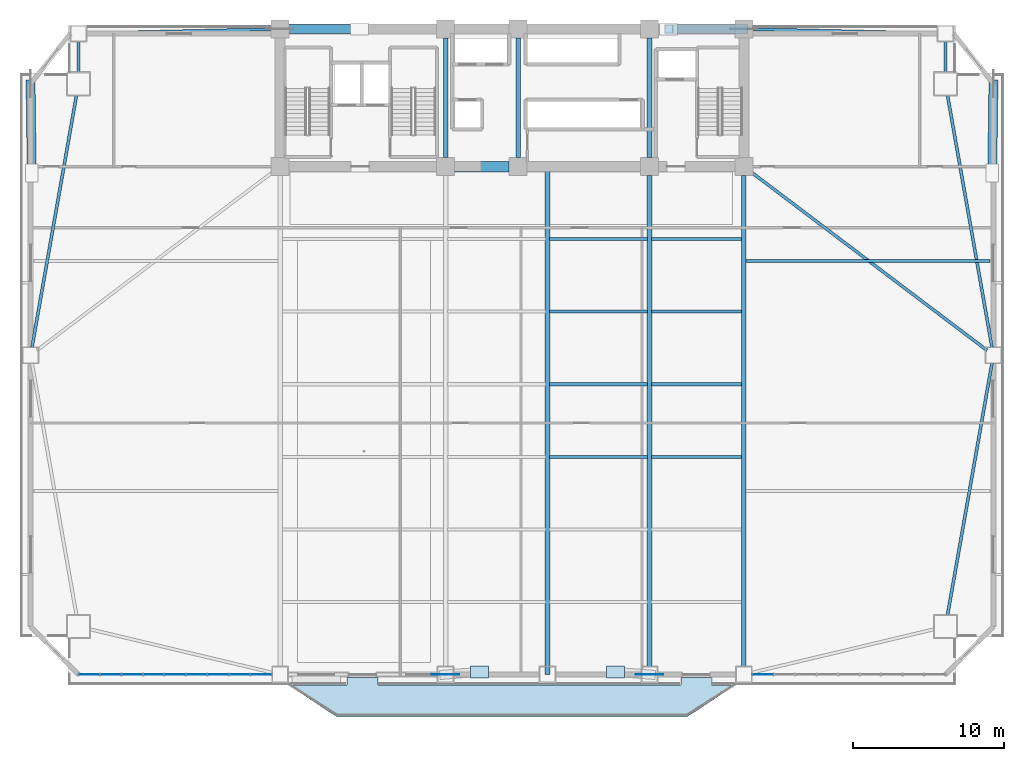
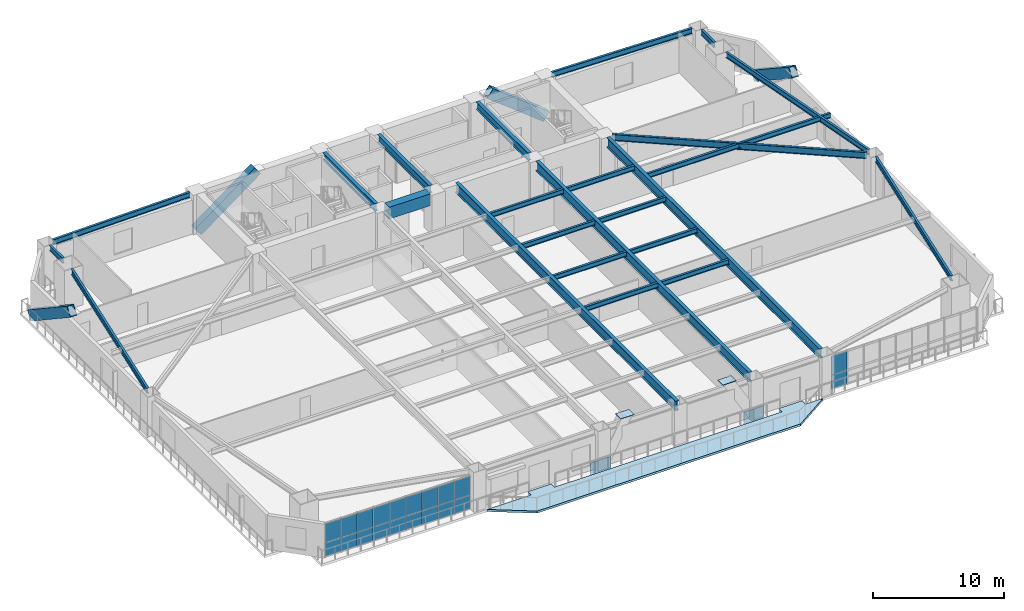
# One storey, part 7 of 17: 24 beams, 24 plates, 4 members, 1 slab, 2 elements without a shape of their own.
"""IFC4 building model written with IfcOpenShell, lengths in metres."""

from ifc_helpers import new_model, si_unit, direction, frame, origin, origin_2d, place, context, subcontext, project, spatial, polyline, rectangle, hollow_rectangle, i_section, outline, extrude, source, transform, mapped, material, layer, layer_set, material_profile, profile_set, type_object, element, aggregate, save


model = new_model("IFC4")

# Units and contexts
model_context = context("Model", 3, precision=1e-05, world=origin(), true_north=direction((0.0, 1.0)))
body_context = subcontext(model_context, "Body", "Model", "MODEL_VIEW")
ifc_project = project(units=[si_unit("LENGTHUNIT", "METRE"), si_unit("AREAUNIT", "SQUARE_METRE"), si_unit("VOLUMEUNIT", "CUBIC_METRE"), si_unit("PLANEANGLEUNIT", "RADIAN"), si_unit("MASSUNIT", "GRAM", prefix="KILO")], contexts=[model_context])

# Site, building, storey
site_placement = place(None, origin())
site = spatial("IfcSite", under=ifc_project, at=site_placement, CompositionType="ELEMENT")
building_placement = place(site_placement, origin())
building = spatial("IfcBuilding", under=site, at=building_placement, Name="Giltprow Tower", CompositionType="ELEMENT")
storey_placement = place(building_placement, frame((0.0, 0.0, 37.10009765625)))
storey = spatial("IfcBuildingStorey", under=building, at=storey_placement, Name="L09", CompositionType="ELEMENT", Elevation=37.10009765625)

# Beams
ifc_material_1 = material(Name="Concrete C60", Category="concrete")
ifc_material_profile_1 = material_profile(ifc_material_1, rectangle(XDim=0.699951171875, YDim=1.10009765625, at=origin_2d()), Name="RC 1100x700")
ifc_profile_set_1 = profile_set([ifc_material_profile_1], Name="Concrete C60")
beam_type_1 = type_object("IfcBeamType", Name="BM-CPL-RC1100", PredefinedType="LINTEL", material=ifc_profile_set_1)
shared_shape_1 = source(origin(), body_context, "Body", "SweptSolid", [
    extrude(rectangle(XDim=0.699951171875, YDim=1.10009765625, at=origin_2d()), origin(), (0.0, 0.0, 1.0), 3.6298828125),
])
beam_1_placement = place(storey_placement, frame((31.385009765625, 37.449951171875, 3.1298828125), z_axis=(1.0, 0.0, 0.0), x_axis=(0.0, 1.0, 0.0)))
element("IfcBeam", 1, at=beam_1_placement, inside=storey, type_object=beam_type_1, Name="L09 Core Coupling Beam CB-1", PredefinedType="LINTEL", context=body_context, shape_type="MappedRepresentation", body=[
    mapped(shared_shape_1, transform((0.0, 0.0, 0.0), x_axis=(1.0, 0.0, 0.0), y_axis=(0.0, 1.0, 0.0), z_axis=(0.0, 0.0, 1.0), scale=1.0)),
])
ifc_material_2 = material(Name="Structural steel Q355B", Category="steel")
ifc_material_profile_2 = material_profile(ifc_material_2, i_section(OverallWidth=0.300048828125, OverallDepth=0.699951171875, WebThickness=0.012939453125, FlangeThickness=0.02392578125, at=origin_2d()), Name="HN 700x300x13x24")
ifc_profile_set_2 = profile_set([ifc_material_profile_2], Name="Structural steel Q355B")
beam_type_2 = type_object("IfcBeamType", Name="BM-GIRD-HN700", PredefinedType="BEAM", material=ifc_profile_set_2)
shared_shape_2 = source(origin(), body_context, "Body", "SweptSolid", [
    extrude(i_section(OverallWidth=0.300048828125, OverallDepth=0.699951171875, WebThickness=0.012939453125, FlangeThickness=0.02392578125, at=origin_2d()), origin(), (0.0, 0.0, 1.0), 7.93017578125),
])
for number, where, z_axis, x_axis, name in (
    (2, (30.800048828125, 38.034912109375, 3.329833984375), (0.0, 1.0, 0.0), (-1.0, 0.0, 0.0), "L09 Core Tie Girder M1"),
    (3, (35.60009765625, 38.034912109375, 3.329833984375), (0.0, 1.0, 0.0), (-1.0, 0.0, 0.0), "L09 Core Tie Girder M2"),
    (4, (44.300048828125, 38.034912109375, 3.329833984375), (0.0, 1.0, 0.0), (-1.0, 0.0, 0.0), "L09 Core Tie Girder M3"),
):
    element("IfcBeam", number, at=place(storey_placement, frame(where, z_axis=z_axis, x_axis=x_axis)), inside=storey, type_object=beam_type_2, Name=name, PredefinedType="BEAM", context=body_context, shape_type="MappedRepresentation", body=[
        mapped(shared_shape_2, transform((0.0, 0.0, 0.0), x_axis=(1.0, 0.0, 0.0), y_axis=(0.0, 1.0, 0.0), z_axis=(0.0, 0.0, 1.0), scale=1.0)),
    ])
ifc_material_profile_3 = material_profile(ifc_material_2, i_section(OverallWidth=0.199951171875, OverallDepth=0.449951171875, WebThickness=0.009033203125, FlangeThickness=0.013916015625, at=origin_2d()), Name="HN 450x200x9x14")
ifc_profile_set_3 = profile_set([ifc_material_profile_3], Name="Structural steel Q355B")
beam_type_3 = type_object("IfcBeamType", Name="BM-JOIST-HN450", PredefinedType="JOIST", material=ifc_profile_set_3)
shared_shape_3 = source(origin(), body_context, "Body", "SweptSolid", [
    extrude(i_section(OverallWidth=0.199951171875, OverallDepth=0.449951171875, WebThickness=0.009033203125, FlangeThickness=0.013916015625, at=origin_2d()), origin(), (0.0, 0.0, 1.0), 6.4599609375),
])
for number, where, z_axis, x_axis, name in (
    (5, (37.695068359375, 18.237060546875, 3.454833984375), (1.0, 0.0, 0.0), (0.0, 1.0, 0.0), "L09 Composite Floor Joist 3-3"),
    (6, (37.695068359375, 23.0400390625, 3.454833984375), (1.0, 0.0, 0.0), (0.0, 1.0, 0.0), "L09 Composite Floor Joist 4-3"),
    (7, (37.695068359375, 27.843017578125, 3.454833984375), (1.0, 0.0, 0.0), (0.0, 1.0, 0.0), "L09 Composite Floor Joist 5-3"),
    (8, (37.695068359375, 32.64697265625, 3.454833984375), (1.0, 0.0, 0.0), (0.0, 1.0, 0.0), "L09 Composite Floor Joist 6-3"),
):
    element("IfcBeam", number, at=place(storey_placement, frame(where, z_axis=z_axis, x_axis=x_axis)), inside=storey, type_object=beam_type_3, Name=name, PredefinedType="JOIST", context=body_context, shape_type="MappedRepresentation", body=[
        mapped(shared_shape_3, transform((0.0, 0.0, 0.0), x_axis=(1.0, 0.0, 0.0), y_axis=(0.0, 1.0, 0.0), z_axis=(0.0, 0.0, 1.0), scale=1.0)),
    ])
shared_shape_4 = source(origin(), body_context, "Body", "SweptSolid", [
    extrude(i_section(OverallWidth=0.199951171875, OverallDepth=0.449951171875, WebThickness=0.009033203125, FlangeThickness=0.013916015625, at=origin_2d()), origin(), (0.0, 0.0, 1.0), 5.9599609375),
])
for number, where, z_axis, x_axis, name in (
    (9, (44.445068359375, 18.237060546875, 3.454833984375), (1.0, 0.0, 0.0), (0.0, 1.0, 0.0), "L09 Composite Floor Joist 3-4"),
    (10, (44.445068359375, 23.0400390625, 3.454833984375), (1.0, 0.0, 0.0), (0.0, 1.0, 0.0), "L09 Composite Floor Joist 4-4"),
    (11, (44.445068359375, 27.843017578125, 3.454833984375), (1.0, 0.0, 0.0), (0.0, 1.0, 0.0), "L09 Composite Floor Joist 5-4"),
    (12, (44.445068359375, 32.64697265625, 3.454833984375), (1.0, 0.0, 0.0), (0.0, 1.0, 0.0), "L09 Composite Floor Joist 6-4"),
):
    element("IfcBeam", number, at=place(storey_placement, frame(where, z_axis=z_axis, x_axis=x_axis)), inside=storey, type_object=beam_type_3, Name=name, PredefinedType="JOIST", context=body_context, shape_type="MappedRepresentation", body=[
        mapped(shared_shape_4, transform((0.0, 0.0, 0.0), x_axis=(1.0, 0.0, 0.0), y_axis=(0.0, 1.0, 0.0), z_axis=(0.0, 0.0, 1.0), scale=1.0)),
    ])
ifc_material_profile_4 = material_profile(ifc_material_2, i_section(OverallWidth=0.199951171875, OverallDepth=0.5, WebThickness=0.010009765625, FlangeThickness=0.01611328125, at=origin_2d()), Name="HN 500x200x10x16")
ifc_profile_set_4 = profile_set([ifc_material_profile_4], Name="Structural steel Q355B")
beam_type_4 = type_object("IfcBeamType", Name="BM-SPAN-HN500", PredefinedType="SPANDREL", material=ifc_profile_set_4)
shared_shape_5 = source(origin(), body_context, "Body", "SweptSolid", [
    extrude(i_section(OverallWidth=0.199951171875, OverallDepth=0.5, WebThickness=0.010009765625, FlangeThickness=0.01611328125, at=origin_2d()), origin(), (0.0, 0.0, 1.0), 16.920166015625),
])
beam_2_placement = place(storey_placement, frame((64.028076171875, 7.77392578125, 3.429931640625), z_axis=(0.173984527619, 0.984748386213, 0.0), x_axis=(-0.984748386213, 0.173984527619, 0.0)))
element("IfcBeam", 13, at=beam_2_placement, inside=storey, type_object=beam_type_4, Name="L09 Perimeter Spandrel Beam MC_SE-E_MID", PredefinedType="SPANDREL", context=body_context, shape_type="MappedRepresentation", body=[
    mapped(shared_shape_5, transform((0.0, 0.0, 0.0), x_axis=(1.0, 0.0, 0.0), y_axis=(0.0, 1.0, 0.0), z_axis=(0.0, 0.0, 1.0), scale=1.0)),
])
shared_shape_6 = source(origin(), body_context, "Body", "SweptSolid", [
    extrude(i_section(OverallWidth=0.199951171875, OverallDepth=0.5, WebThickness=0.010009765625, FlangeThickness=0.01611328125, at=origin_2d()), origin(), (0.0, 0.0, 1.0), 16.921142578125),
])
for number, where, z_axis, x_axis, name in (
    (14, (66.971923828125, 25.489990234375, 3.429931640625), (-0.173974639654, 0.984750133159, 0.0), (-0.984750133159, -0.173974639654, 0.0), "L09 Perimeter Spandrel Beam E_MID-MC_NE"),
    (15, (6.3720703125, 42.153076171875, 3.429931640625), (-0.173988631052, -0.984747661213, 0.0), (0.984747661213, -0.173988631052, 0.0), "L09 Perimeter Spandrel Beam MC_NW-W_MID"),
):
    element("IfcBeam", number, at=place(storey_placement, frame(where, z_axis=z_axis, x_axis=x_axis)), inside=storey, type_object=beam_type_4, Name=name, PredefinedType="SPANDREL", context=body_context, shape_type="MappedRepresentation", body=[
        mapped(shared_shape_6, transform((0.0, 0.0, 0.0), x_axis=(1.0, 0.0, 0.0), y_axis=(0.0, 1.0, 0.0), z_axis=(0.0, 0.0, 1.0), scale=1.0)),
    ])
shared_shape_7 = source(origin(), body_context, "Body", "SweptSolid", [
    extrude(i_section(OverallWidth=0.199951171875, OverallDepth=0.5, WebThickness=0.010009765625, FlangeThickness=0.01611328125, at=origin_2d()), origin(), (0.0, 0.0, 1.0), 2.004150390625),
])
for number, where, z_axis, x_axis, name in (
    (16, (63.89111328125, 43.7109375, 3.429931640625), (0.0, 1.0, 0.0), (-1.0, 0.0, 0.0), "L09 Perimeter Spandrel Beam MC_NE-N_E"),
    (17, (6.509033203125, 45.715087890625, 3.429931640625), (0.0, -1.0, 0.0), (1.0, 0.0, 0.0), "L09 Perimeter Spandrel Beam N_W-MC_NW"),
):
    element("IfcBeam", number, at=place(storey_placement, frame(where, z_axis=z_axis, x_axis=x_axis)), inside=storey, type_object=beam_type_4, Name=name, PredefinedType="SPANDREL", context=body_context, shape_type="MappedRepresentation", body=[
        mapped(shared_shape_7, transform((0.0, 0.0, 0.0), x_axis=(1.0, 0.0, 0.0), y_axis=(0.0, 1.0, 0.0), z_axis=(0.0, 0.0, 1.0), scale=1.0)),
    ])
shared_shape_8 = source(origin(), body_context, "Body", "SweptSolid", [
    extrude(i_section(OverallWidth=0.199951171875, OverallDepth=0.5, WebThickness=0.010009765625, FlangeThickness=0.01611328125, at=origin_2d()), origin(), (0.0, 0.0, 1.0), 12.22412109375),
])
for number, where, z_axis, x_axis, name in (
    (18, (7.0439453125, 46.261962890625, 3.429931640625), (0.999746648703, 0.022508629624, 0.0), (-0.022508629624, 0.999746648703, 0.0), "L09 North Wing Spandrel W"),
    (19, (51.135009765625, 46.537109375, 3.429931640625), (0.999746648703, -0.022508629624, 0.0), (0.022508629624, 0.999746648703, 0.0), "L09 North Wing Spandrel E"),
):
    element("IfcBeam", number, at=place(storey_placement, frame(where, z_axis=z_axis, x_axis=x_axis)), inside=storey, type_object=beam_type_4, Name=name, PredefinedType="SPANDREL", context=body_context, shape_type="MappedRepresentation", body=[
        mapped(shared_shape_8, transform((0.0, 0.0, 0.0), x_axis=(1.0, 0.0, 0.0), y_axis=(0.0, 1.0, 0.0), z_axis=(0.0, 0.0, 1.0), scale=1.0)),
    ])
ifc_material_profile_5 = material_profile(ifc_material_2, i_section(OverallWidth=0.300048828125, OverallDepth=0.89990234375, WebThickness=0.01611328125, FlangeThickness=0.028076171875, at=origin_2d()), Name="HN 900x300x16x28")
ifc_profile_set_5 = profile_set([ifc_material_profile_5], Name="Structural steel Q355B")
beam_type_5 = type_object("IfcBeamType", Name="BM-GIRD-HN900", PredefinedType="BEAM", material=ifc_profile_set_5)
shared_shape_9 = source(origin(), body_context, "Body", "SweptSolid", [
    extrude(i_section(OverallWidth=0.300048828125, OverallDepth=0.89990234375, WebThickness=0.01611328125, FlangeThickness=0.028076171875, at=origin_2d()), origin(), (0.0, 0.0, 1.0), 32.5029296875),
])
for number, where, z_axis, x_axis, name in (
    (20, (44.300048828125, 4.362060546875, 3.22998046875), (0.0, 1.0, 0.0), (-1.0, 0.0, 0.0), "L09 Primary Lease Girder S3"),
    (21, (50.550048828125, 4.362060546875, 3.22998046875), (0.0, 1.0, 0.0), (-1.0, 0.0, 0.0), "L09 Primary Lease Girder S4"),
):
    element("IfcBeam", number, at=place(storey_placement, frame(where, z_axis=z_axis, x_axis=x_axis)), inside=storey, type_object=beam_type_5, Name=name, PredefinedType="BEAM", context=body_context, shape_type="MappedRepresentation", body=[
        mapped(shared_shape_9, transform((0.0, 0.0, 0.0), x_axis=(1.0, 0.0, 0.0), y_axis=(0.0, 1.0, 0.0), z_axis=(0.0, 0.0, 1.0), scale=1.0)),
    ])
shared_shape_10 = source(origin(), body_context, "Body", "SweptSolid", [
    extrude(i_section(OverallWidth=0.300048828125, OverallDepth=0.89990234375, WebThickness=0.01611328125, FlangeThickness=0.028076171875, at=origin_2d()), origin(), (0.0, 0.0, 1.0), 33.623046875),
])
beam_3_placement = place(storey_placement, frame((37.550048828125, 3.826904296875, 3.22998046875), z_axis=(0.0, 1.0, 0.0), x_axis=(-1.0, 0.0, 0.0)))
element("IfcBeam", 22, at=beam_3_placement, inside=storey, type_object=beam_type_5, Name="L09 Central Lease Girder SMID", PredefinedType="BEAM", context=body_context, shape_type="MappedRepresentation", body=[
    mapped(shared_shape_10, transform((0.0, 0.0, 0.0), x_axis=(1.0, 0.0, 0.0), y_axis=(0.0, 1.0, 0.0), z_axis=(0.0, 0.0, 1.0), scale=1.0)),
])
ifc_material_profile_6 = material_profile(ifc_material_2, i_section(OverallWidth=0.199951171875, OverallDepth=0.60009765625, WebThickness=0.010986328125, FlangeThickness=0.01708984375, at=origin_2d()), Name="HN 600x200x11x17")
ifc_profile_set_6 = profile_set([ifc_material_profile_6], Name="Structural steel Q355B")
beam_type_6 = type_object("IfcBeamType", Name="BM-GIRD-HN600", PredefinedType="BEAM", material=ifc_profile_set_6)
shared_shape_11 = source(origin(), body_context, "Body", "SweptSolid", [
    extrude(i_section(OverallWidth=0.199951171875, OverallDepth=0.60009765625, WebThickness=0.010986328125, FlangeThickness=0.01708984375, at=origin_2d()), origin(), (0.0, 0.0, 1.0), 19.58349609375),
])
beam_4_placement = place(storey_placement, frame((66.637939453125, 25.285888671875, 3.3798828125), z_axis=(-0.797655674311, 0.60311311148, 0.0), x_axis=(-0.60311311148, -0.797655674311, 0.0)))
element("IfcBeam", 23, at=beam_4_placement, inside=storey, type_object=beam_type_6, Name="L09 East Wing Primary Girder", PredefinedType="BEAM", context=body_context, shape_type="MappedRepresentation", body=[
    mapped(shared_shape_11, transform((0.0, 0.0, 0.0), x_axis=(1.0, 0.0, 0.0), y_axis=(0.0, 1.0, 0.0), z_axis=(0.0, 0.0, 1.0), scale=1.0)),
])
shared_shape_12 = source(origin(), body_context, "Body", "SweptSolid", [
    extrude(i_section(OverallWidth=0.199951171875, OverallDepth=0.449951171875, WebThickness=0.009033203125, FlangeThickness=0.013916015625, at=origin_2d()), origin(), (0.0, 0.0, 1.0), 16.14990234375),
])
beam_5_placement = place(storey_placement, frame((50.695068359375, 31.20703125, 3.454833984375), z_axis=(1.0, 0.0, 0.0), x_axis=(0.0, 1.0, 0.0)))
element("IfcBeam", 24, at=beam_5_placement, inside=storey, type_object=beam_type_3, Name="L09 East Wing Floor Joist 2", PredefinedType="JOIST", context=body_context, shape_type="MappedRepresentation", body=[
    mapped(shared_shape_12, transform((0.0, 0.0, 0.0), x_axis=(1.0, 0.0, 0.0), y_axis=(0.0, 1.0, 0.0), z_axis=(0.0, 0.0, 1.0), scale=1.0)),
])

# Members
ifc_material_3 = material(Name="Structural steel Q420GJC", Category="steel")
ifc_material_profile_7 = material_profile(ifc_material_3, hollow_rectangle(XDim=0.60009765625, YDim=0.89990234375, WallThickness=0.0400390625, at=origin_2d()), Name="RHS 900x600x40")
ifc_profile_set_7 = profile_set([ifc_material_profile_7], Name="Structural steel Q420GJC")
member_type = type_object("IfcMemberType", Name="MBR-MEGA-RHS900", PredefinedType="BRACE", material=ifc_profile_set_7)
shared_shape_13 = source(origin(), body_context, "Body", "SweptSolid", [
    extrude(hollow_rectangle(XDim=0.60009765625, YDim=0.89990234375, WallThickness=0.0400390625, at=origin_2d()), origin(), (0.0, 0.0, 1.0), 6.5400390625),
])
member_1_placement = place(storey_placement, frame((19.85009765625, 46.550048828125, -0.14013671875), z_axis=(0.802733126154, 0.0, 0.596338434259), x_axis=(0.0, 1.0, 0.0)))
element("IfcMember", 25, at=member_1_placement, inside=storey, type_object=member_type, Name="L09 Chevron Mega-Brace N-L", PredefinedType="BRACE", context=body_context, shape_type="MappedRepresentation", body=[
    mapped(shared_shape_13, transform((0.0, 0.0, 0.0), x_axis=(1.0, 0.0, 0.0), y_axis=(0.0, 1.0, 0.0), z_axis=(0.0, 0.0, 1.0), scale=1.0)),
])
shared_shape_14 = source(origin(), body_context, "Body", "SweptSolid", [
    extrude(hollow_rectangle(XDim=0.60009765625, YDim=0.89990234375, WallThickness=0.0400390625, at=origin_2d()), origin(), (0.0, 0.0, 1.0), 6.327880859375),
])
member_2_placement = place(storey_placement, frame((50.550048828125, 46.550048828125, -0.14013671875), z_axis=(-0.787483018661, 0.0, 0.61633634918), x_axis=(0.0, -1.0, 0.0)))
element("IfcMember", 26, at=member_2_placement, inside=storey, type_object=member_type, Name="L09 Chevron Mega-Brace N-R", PredefinedType="BRACE", context=body_context, shape_type="MappedRepresentation", body=[
    mapped(shared_shape_14, transform((0.0, 0.0, 0.0), x_axis=(1.0, 0.0, 0.0), y_axis=(0.0, 1.0, 0.0), z_axis=(0.0, 0.0, 1.0), scale=1.0)),
])
shared_shape_15 = source(origin(), body_context, "Body", "SweptSolid", [
    extrude(hollow_rectangle(XDim=0.60009765625, YDim=0.89990234375, WallThickness=0.0400390625, at=origin_2d()), origin(), (0.0, 0.0, 1.0), 7.072998046875),
])
for number, where, z_axis, x_axis, name in (
    (27, (3.3349609375, 42.926025390625, 0.0), (0.011045553791, -0.834180932732, 0.551380238319), (0.999912346881, 0.013240036041, 0.0), "L09 Chevron Mega-Brace W-R"),
    (28, (67.06494140625, 42.926025390625, 0.0), (-0.011011040627, -0.834181250277, 0.551380448212), (0.999912893786, -0.013198668147, 0.0), "L09 Chevron Mega-Brace E-R"),
):
    element("IfcMember", number, at=place(storey_placement, frame(where, z_axis=z_axis, x_axis=x_axis)), inside=storey, type_object=member_type, Name=name, PredefinedType="BRACE", context=body_context, shape_type="MappedRepresentation", body=[
        mapped(shared_shape_15, transform((0.0, 0.0, 0.0), x_axis=(1.0, 0.0, 0.0), y_axis=(0.0, 1.0, 0.0), z_axis=(0.0, 0.0, 1.0), scale=1.0)),
    ])

# Slab
ifc_material_4 = material(Name="Concrete C40", Category="concrete")
ifc_layer_1 = layer(ifc_material_4, 0.199951171875, Name="Concrete C40")
ifc_layer_set_1 = layer_set([ifc_layer_1], Name="Concrete C40")
slab_type = type_object("IfcSlabType", Name="SLB-BALC-BRONZE-200", PredefinedType="FLOOR", material=ifc_layer_set_1)
slab_placement = place(storey_placement, frame((0.0, 0.0, -0.2001953125)))
element("IfcSlab", 29, at=slab_placement, inside=storey, type_object=slab_type, Name="L09 Bronze Prow Waterfront Balcony Slab", PredefinedType="FLOOR", context=body_context, shape_type="SweptSolid", body=[
    extrude(outline(polyline([(50.0, 3.126953125), (46.800048828125, 1.027099609375), (23.60009765625, 1.027099609375), (20.39990234375, 3.126953125), (24.280029296875, 3.126953125), (24.280029296875, 3.626953125), (26.320068359375, 3.626953125), (26.320068359375, 3.126953125), (46.3798828125, 3.126953125), (46.3798828125, 3.626953125), (48.419921875, 3.626953125), (48.419921875, 3.126953125), (50.0, 3.126953125)])), origin(), (0.0, 0.0, 1.0), 0.2001953125),
])

# Plates
plate_type_1 = type_object("IfcPlateType", Name="PLT-NODE-MBN1", PredefinedType="USERDEFINED", material=ifc_material_3)
shared_shape_16 = source(origin(), body_context, "Body", "SweptSolid", [
    extrude(rectangle(XDim=1.800048828125, YDim=0.050048828125, at=origin_2d()), origin(), (0.0, 0.0, 1.0), 1.14990234375),
])
for number, where, z_axis, x_axis, name in (
    (30, (30.800048828125, 3.826904296875, -0.574951171875), (0.0, 0.0, 1.0), (1.0, 0.0, 0.0), "Mega-Brace Node L09-S-LA"),
    (31, (44.300048828125, 3.826904296875, -0.574951171875), (0.0, 0.0, 1.0), (1.0, 0.0, 0.0), "Mega-Brace Node L09-S-RA"),
):
    element("IfcPlate", number, at=place(storey_placement, frame(where, z_axis=z_axis, x_axis=x_axis)), inside=storey, type_object=plate_type_1, Name=name, ObjectType="GUSSET", PredefinedType="USERDEFINED", context=body_context, shape_type="MappedRepresentation", body=[
        mapped(shared_shape_16, transform((0.0, 0.0, 0.0), x_axis=(1.0, 0.0, 0.0), y_axis=(0.0, 1.0, 0.0), z_axis=(0.0, 0.0, 1.0), scale=1.0)),
    ])
plate_type_2 = type_object("IfcPlateType", Name="PLT-CAP-SEAL", PredefinedType="USERDEFINED", material=ifc_material_3)
shared_shape_17 = source(origin(), body_context, "Body", "SweptSolid", [
    extrude(rectangle(XDim=1.199951171875, YDim=0.800048828125, at=origin_2d()), origin(), (0.0, 0.0, 1.0), 0.034912109375),
])
for number, where, z_axis, x_axis, name in (
    (32, (33.050048828125, 4.0029296875, 3.88232421875), (0.0, 0.0, 1.0), (1.0, 0.0, 0.0), "Mega-Brace Node L09-S-LB"),
    (33, (42.050048828125, 4.0029296875, 3.88232421875), (0.0, 0.0, 1.0), (1.0, 0.0, 0.0), "Mega-Brace Node L09-S-RB"),
):
    element("IfcPlate", number, at=place(storey_placement, frame(where, z_axis=z_axis, x_axis=x_axis)), inside=storey, type_object=plate_type_2, Name=name, ObjectType="SPLICE", PredefinedType="USERDEFINED", context=body_context, shape_type="MappedRepresentation", body=[
        mapped(shared_shape_17, transform((0.0, 0.0, 0.0), x_axis=(1.0, 0.0, 0.0), y_axis=(0.0, 1.0, 0.0), z_axis=(0.0, 0.0, 1.0), scale=1.0)),
    ])

# Curtain wall, plates
ifc_material_5 = material(Name="Anodized bronze", Category="metal")
ifc_layer_2 = layer(ifc_material_5, 0.179931640625, Name="Anodized bronze")
ifc_layer_set_2 = layer_set([ifc_layer_2], Name="Anodized bronze")
curtain_wall_type = type_object("IfcCurtainWallType", Name="CW-OFF-RECESSED", PredefinedType="NOTDEFINED", material=ifc_layer_set_2)
curtain_wall_1_placement = place(storey_placement, origin())
curtain_wall_1 = element("IfcCurtainWall", 34, at=curtain_wall_1_placement, inside=storey, type_object=curtain_wall_type, Name="L09 South Recessed Curtain Wall 1", PredefinedType="NOTDEFINED")
ifc_material_6 = material(Name="Insulated glass", Category="glass")
plate_type_3 = type_object("IfcPlateType", Name="CW-PANEL-IGU-28", PredefinedType="CURTAIN_PANEL", material=ifc_material_6)
shared_shape_18 = source(origin(), body_context, "Body", "SweptSolid", [
    extrude(rectangle(XDim=1.39111328125, YDim=0.028076171875, at=origin_2d()), origin(), (0.0, 0.0, 1.0), 1.259033203125),
])
plate_1_placement = place(storey_placement, frame((7.219970703125, 3.826904296875, 0.05419921875), z_axis=(0.0, 0.0, 1.0), x_axis=(1.0, 0.0, 0.0)))
plate_1 = element("IfcPlate", 35, at=plate_1_placement, type_object=plate_type_3, Name="L09 South Recessed Curtain Wall 1 Glazing Panel 1-1", PredefinedType="CURTAIN_PANEL", context=body_context, shape_type="MappedRepresentation", body=[
    mapped(shared_shape_18, transform((0.0, 0.0, 0.0), x_axis=(1.0, 0.0, 0.0), y_axis=(0.0, 1.0, 0.0), z_axis=(0.0, 0.0, 1.0), scale=1.0)),
])
plate_2_placement = place(storey_placement, frame((8.64111328125, 3.826904296875, 0.05419921875), z_axis=(0.0, 0.0, 1.0), x_axis=(1.0, 0.0, 0.0)))
plate_2 = element("IfcPlate", 36, at=plate_2_placement, type_object=plate_type_3, Name="L09 South Recessed Curtain Wall 1 Glazing Panel 2-1", PredefinedType="CURTAIN_PANEL", context=body_context, shape_type="MappedRepresentation", body=[
    mapped(shared_shape_18, transform((0.0, 0.0, 0.0), x_axis=(1.0, 0.0, 0.0), y_axis=(0.0, 1.0, 0.0), z_axis=(0.0, 0.0, 1.0), scale=1.0)),
])
plate_3_placement = place(storey_placement, frame((10.06201171875, 3.826904296875, 0.05419921875), z_axis=(0.0, 0.0, 1.0), x_axis=(1.0, 0.0, 0.0)))
plate_3 = element("IfcPlate", 37, at=plate_3_placement, type_object=plate_type_3, Name="L09 South Recessed Curtain Wall 1 Glazing Panel 3-1", PredefinedType="CURTAIN_PANEL", context=body_context, shape_type="MappedRepresentation", body=[
    mapped(shared_shape_18, transform((0.0, 0.0, 0.0), x_axis=(1.0, 0.0, 0.0), y_axis=(0.0, 1.0, 0.0), z_axis=(0.0, 0.0, 1.0), scale=1.0)),
])
plate_4_placement = place(storey_placement, frame((11.48291015625, 3.826904296875, 0.05419921875), z_axis=(0.0, 0.0, 1.0), x_axis=(1.0, 0.0, 0.0)))
plate_4 = element("IfcPlate", 38, at=plate_4_placement, type_object=plate_type_3, Name="L09 South Recessed Curtain Wall 1 Glazing Panel 4-1", PredefinedType="CURTAIN_PANEL", context=body_context, shape_type="MappedRepresentation", body=[
    mapped(shared_shape_18, transform((0.0, 0.0, 0.0), x_axis=(1.0, 0.0, 0.0), y_axis=(0.0, 1.0, 0.0), z_axis=(0.0, 0.0, 1.0), scale=1.0)),
])
plate_5_placement = place(storey_placement, frame((12.905029296875, 3.826904296875, 0.05419921875), z_axis=(0.0, 0.0, 1.0), x_axis=(1.0, 0.0, 0.0)))
plate_5 = element("IfcPlate", 39, at=plate_5_placement, type_object=plate_type_3, Name="L09 South Recessed Curtain Wall 1 Glazing Panel 5-1", PredefinedType="CURTAIN_PANEL", context=body_context, shape_type="MappedRepresentation", body=[
    mapped(shared_shape_18, transform((0.0, 0.0, 0.0), x_axis=(1.0, 0.0, 0.0), y_axis=(0.0, 1.0, 0.0), z_axis=(0.0, 0.0, 1.0), scale=1.0)),
])
plate_6_placement = place(storey_placement, frame((14.325927734375, 3.826904296875, 0.05419921875), z_axis=(0.0, 0.0, 1.0), x_axis=(1.0, 0.0, 0.0)))
plate_6 = element("IfcPlate", 40, at=plate_6_placement, type_object=plate_type_3, Name="L09 South Recessed Curtain Wall 1 Glazing Panel 6-1", PredefinedType="CURTAIN_PANEL", context=body_context, shape_type="MappedRepresentation", body=[
    mapped(shared_shape_18, transform((0.0, 0.0, 0.0), x_axis=(1.0, 0.0, 0.0), y_axis=(0.0, 1.0, 0.0), z_axis=(0.0, 0.0, 1.0), scale=1.0)),
])
plate_7_placement = place(storey_placement, frame((15.7470703125, 3.826904296875, 0.05419921875), z_axis=(0.0, 0.0, 1.0), x_axis=(1.0, 0.0, 0.0)))
plate_7 = element("IfcPlate", 41, at=plate_7_placement, type_object=plate_type_3, Name="L09 South Recessed Curtain Wall 1 Glazing Panel 7-1", PredefinedType="CURTAIN_PANEL", context=body_context, shape_type="MappedRepresentation", body=[
    mapped(shared_shape_18, transform((0.0, 0.0, 0.0), x_axis=(1.0, 0.0, 0.0), y_axis=(0.0, 1.0, 0.0), z_axis=(0.0, 0.0, 1.0), scale=1.0)),
])
plate_8_placement = place(storey_placement, frame((17.16796875, 3.826904296875, 0.05419921875), z_axis=(0.0, 0.0, 1.0), x_axis=(1.0, 0.0, 0.0)))
plate_8 = element("IfcPlate", 42, at=plate_8_placement, type_object=plate_type_3, Name="L09 South Recessed Curtain Wall 1 Glazing Panel 8-1", PredefinedType="CURTAIN_PANEL", context=body_context, shape_type="MappedRepresentation", body=[
    mapped(shared_shape_18, transform((0.0, 0.0, 0.0), x_axis=(1.0, 0.0, 0.0), y_axis=(0.0, 1.0, 0.0), z_axis=(0.0, 0.0, 1.0), scale=1.0)),
])
plate_9_placement = place(storey_placement, frame((18.589111328125, 3.826904296875, 0.05419921875), z_axis=(0.0, 0.0, 1.0), x_axis=(1.0, 0.0, 0.0)))
plate_9 = element("IfcPlate", 43, at=plate_9_placement, type_object=plate_type_3, Name="L09 South Recessed Curtain Wall 1 Glazing Panel 9-1", PredefinedType="CURTAIN_PANEL", context=body_context, shape_type="MappedRepresentation", body=[
    mapped(shared_shape_18, transform((0.0, 0.0, 0.0), x_axis=(1.0, 0.0, 0.0), y_axis=(0.0, 1.0, 0.0), z_axis=(0.0, 0.0, 1.0), scale=1.0)),
])

# Curtain wall, plate
curtain_wall_2_placement = place(storey_placement, origin())
curtain_wall_2 = element("IfcCurtainWall", 44, at=curtain_wall_2_placement, inside=storey, type_object=curtain_wall_type, Name="L09 South Recessed Curtain Wall 6", PredefinedType="NOTDEFINED")
plate_10_placement = place(storey_placement, frame((51.81103515625, 3.826904296875, 0.05419921875), z_axis=(0.0, 0.0, 1.0), x_axis=(1.0, 0.0, 0.0)))
plate_10 = element("IfcPlate", 45, at=plate_10_placement, type_object=plate_type_3, Name="L09 South Recessed Curtain Wall 6 Glazing Panel 1-1", PredefinedType="CURTAIN_PANEL", context=body_context, shape_type="MappedRepresentation", body=[
    mapped(shared_shape_18, transform((0.0, 0.0, 0.0), x_axis=(1.0, 0.0, 0.0), y_axis=(0.0, 1.0, 0.0), z_axis=(0.0, 0.0, 1.0), scale=1.0)),
])

# Plate
shared_shape_19 = source(origin(), body_context, "Body", "SweptSolid", [
    extrude(rectangle(XDim=1.39111328125, YDim=0.028076171875, at=origin_2d()), origin(), (0.0, 0.0, 1.0), 1.764892578125),
])
plate_11_placement = place(storey_placement, frame((7.219970703125, 3.826904296875, 1.34033203125), z_axis=(0.0, 0.0, 1.0), x_axis=(1.0, 0.0, 0.0)))
plate_11 = element("IfcPlate", 46, at=plate_11_placement, type_object=plate_type_3, Name="L09 South Recessed Curtain Wall 1 Glazing Panel 1-2", PredefinedType="CURTAIN_PANEL", context=body_context, shape_type="MappedRepresentation", body=[
    mapped(shared_shape_19, transform((0.0, 0.0, 0.0), x_axis=(1.0, 0.0, 0.0), y_axis=(0.0, 1.0, 0.0), z_axis=(0.0, 0.0, 1.0), scale=1.0)),
])

plate_12_placement = place(storey_placement, frame((8.64111328125, 3.826904296875, 1.34033203125), z_axis=(0.0, 0.0, 1.0), x_axis=(1.0, 0.0, 0.0)))
plate_12 = element("IfcPlate", 47, at=plate_12_placement, type_object=plate_type_3, Name="L09 South Recessed Curtain Wall 1 Glazing Panel 2-2", PredefinedType="CURTAIN_PANEL", context=body_context, shape_type="MappedRepresentation", body=[
    mapped(shared_shape_19, transform((0.0, 0.0, 0.0), x_axis=(1.0, 0.0, 0.0), y_axis=(0.0, 1.0, 0.0), z_axis=(0.0, 0.0, 1.0), scale=1.0)),
])

plate_13_placement = place(storey_placement, frame((10.06201171875, 3.826904296875, 1.34033203125), z_axis=(0.0, 0.0, 1.0), x_axis=(1.0, 0.0, 0.0)))
plate_13 = element("IfcPlate", 48, at=plate_13_placement, type_object=plate_type_3, Name="L09 South Recessed Curtain Wall 1 Glazing Panel 3-2", PredefinedType="CURTAIN_PANEL", context=body_context, shape_type="MappedRepresentation", body=[
    mapped(shared_shape_19, transform((0.0, 0.0, 0.0), x_axis=(1.0, 0.0, 0.0), y_axis=(0.0, 1.0, 0.0), z_axis=(0.0, 0.0, 1.0), scale=1.0)),
])

plate_14_placement = place(storey_placement, frame((11.48291015625, 3.826904296875, 1.34033203125), z_axis=(0.0, 0.0, 1.0), x_axis=(1.0, 0.0, 0.0)))
plate_14 = element("IfcPlate", 49, at=plate_14_placement, type_object=plate_type_3, Name="L09 South Recessed Curtain Wall 1 Glazing Panel 4-2", PredefinedType="CURTAIN_PANEL", context=body_context, shape_type="MappedRepresentation", body=[
    mapped(shared_shape_19, transform((0.0, 0.0, 0.0), x_axis=(1.0, 0.0, 0.0), y_axis=(0.0, 1.0, 0.0), z_axis=(0.0, 0.0, 1.0), scale=1.0)),
])

plate_15_placement = place(storey_placement, frame((12.905029296875, 3.826904296875, 1.34033203125), z_axis=(0.0, 0.0, 1.0), x_axis=(1.0, 0.0, 0.0)))
plate_15 = element("IfcPlate", 50, at=plate_15_placement, type_object=plate_type_3, Name="L09 South Recessed Curtain Wall 1 Glazing Panel 5-2", PredefinedType="CURTAIN_PANEL", context=body_context, shape_type="MappedRepresentation", body=[
    mapped(shared_shape_19, transform((0.0, 0.0, 0.0), x_axis=(1.0, 0.0, 0.0), y_axis=(0.0, 1.0, 0.0), z_axis=(0.0, 0.0, 1.0), scale=1.0)),
])

plate_16_placement = place(storey_placement, frame((14.325927734375, 3.826904296875, 1.34033203125), z_axis=(0.0, 0.0, 1.0), x_axis=(1.0, 0.0, 0.0)))
plate_16 = element("IfcPlate", 51, at=plate_16_placement, type_object=plate_type_3, Name="L09 South Recessed Curtain Wall 1 Glazing Panel 6-2", PredefinedType="CURTAIN_PANEL", context=body_context, shape_type="MappedRepresentation", body=[
    mapped(shared_shape_19, transform((0.0, 0.0, 0.0), x_axis=(1.0, 0.0, 0.0), y_axis=(0.0, 1.0, 0.0), z_axis=(0.0, 0.0, 1.0), scale=1.0)),
])

plate_17_placement = place(storey_placement, frame((15.7470703125, 3.826904296875, 1.34033203125), z_axis=(0.0, 0.0, 1.0), x_axis=(1.0, 0.0, 0.0)))
plate_17 = element("IfcPlate", 52, at=plate_17_placement, type_object=plate_type_3, Name="L09 South Recessed Curtain Wall 1 Glazing Panel 7-2", PredefinedType="CURTAIN_PANEL", context=body_context, shape_type="MappedRepresentation", body=[
    mapped(shared_shape_19, transform((0.0, 0.0, 0.0), x_axis=(1.0, 0.0, 0.0), y_axis=(0.0, 1.0, 0.0), z_axis=(0.0, 0.0, 1.0), scale=1.0)),
])

plate_18_placement = place(storey_placement, frame((17.16796875, 3.826904296875, 1.34033203125), z_axis=(0.0, 0.0, 1.0), x_axis=(1.0, 0.0, 0.0)))
plate_18 = element("IfcPlate", 53, at=plate_18_placement, type_object=plate_type_3, Name="L09 South Recessed Curtain Wall 1 Glazing Panel 8-2", PredefinedType="CURTAIN_PANEL", context=body_context, shape_type="MappedRepresentation", body=[
    mapped(shared_shape_19, transform((0.0, 0.0, 0.0), x_axis=(1.0, 0.0, 0.0), y_axis=(0.0, 1.0, 0.0), z_axis=(0.0, 0.0, 1.0), scale=1.0)),
])

plate_19_placement = place(storey_placement, frame((18.589111328125, 3.826904296875, 1.34033203125), z_axis=(0.0, 0.0, 1.0), x_axis=(1.0, 0.0, 0.0)))
plate_19 = element("IfcPlate", 54, at=plate_19_placement, type_object=plate_type_3, Name="L09 South Recessed Curtain Wall 1 Glazing Panel 9-2", PredefinedType="CURTAIN_PANEL", context=body_context, shape_type="MappedRepresentation", body=[
    mapped(shared_shape_19, transform((0.0, 0.0, 0.0), x_axis=(1.0, 0.0, 0.0), y_axis=(0.0, 1.0, 0.0), z_axis=(0.0, 0.0, 1.0), scale=1.0)),
])

aggregate(curtain_wall_1, [plate_1, plate_11, plate_2, plate_12, plate_3, plate_13, plate_4, plate_14, plate_5, plate_15, plate_6, plate_16, plate_7, plate_17, plate_8, plate_18, plate_9, plate_19])

plate_20_placement = place(storey_placement, frame((51.81103515625, 3.826904296875, 1.34033203125), z_axis=(0.0, 0.0, 1.0), x_axis=(1.0, 0.0, 0.0)))
plate_20 = element("IfcPlate", 55, at=plate_20_placement, type_object=plate_type_3, Name="L09 South Recessed Curtain Wall 6 Glazing Panel 1-2", PredefinedType="CURTAIN_PANEL", context=body_context, shape_type="MappedRepresentation", body=[
    mapped(shared_shape_19, transform((0.0, 0.0, 0.0), x_axis=(1.0, 0.0, 0.0), y_axis=(0.0, 1.0, 0.0), z_axis=(0.0, 0.0, 1.0), scale=1.0)),
])

aggregate(curtain_wall_2, [plate_10, plate_20])

save(model, "model.ifc")
